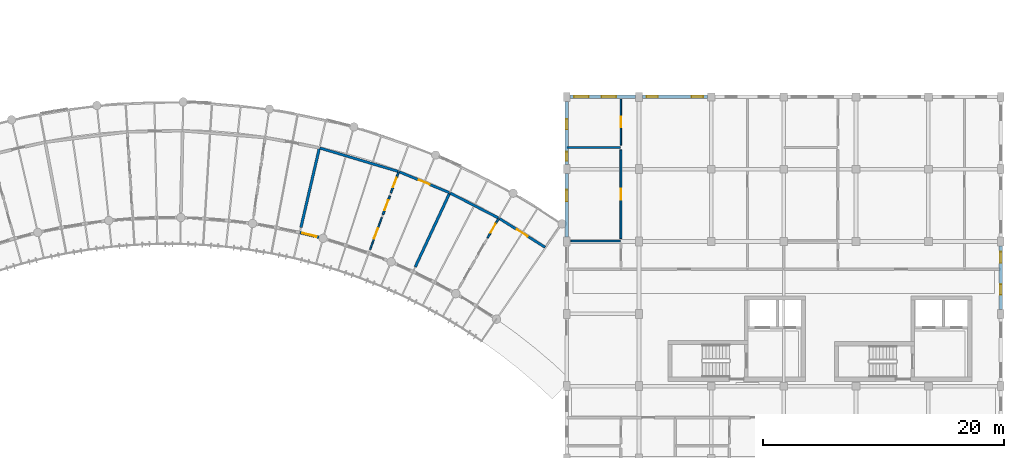
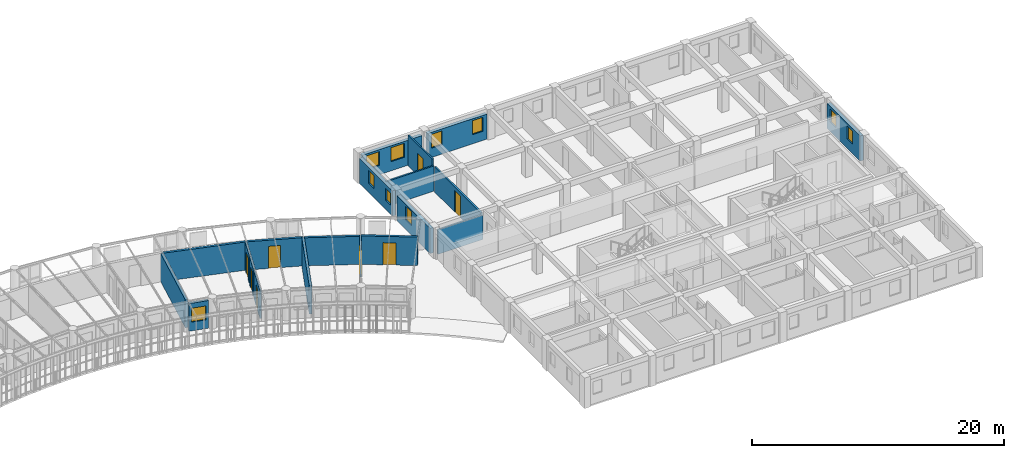
# One storey, part 100 of 123: 20 walls, 10 windows, 8 doors, 18 openings.
"""IFC4 building model written with IfcOpenShell, lengths in metres."""

from ifc_helpers import new_model, si_unit, direction, frame, frame_2d, origin, place, context, subcontext, project, spatial, rectangle, extrude, material, layer, layer_set, type_object, element, fill, save


model = new_model("IFC4")

# Units and contexts
model_context = context("Model", 3, precision=1e-05, world=origin(), true_north=direction((0.0, 1.0)))
body_context = subcontext(model_context, "Body", "Model", "MODEL_VIEW")
ifc_project = project(units=[si_unit("LENGTHUNIT", "METRE"), si_unit("AREAUNIT", "SQUARE_METRE"), si_unit("VOLUMEUNIT", "CUBIC_METRE"), si_unit("PLANEANGLEUNIT", "RADIAN"), si_unit("MASSUNIT", "GRAM", prefix="KILO"), si_unit("POWERUNIT", "WATT"), si_unit("THERMODYNAMICTEMPERATUREUNIT", "KELVIN")], contexts=[model_context])

# Site, building, storey
site_placement = place(None, origin())
site = spatial("IfcSite", under=ifc_project, at=site_placement, CompositionType="ELEMENT")
building_placement = place(site_placement, origin())
building = spatial("IfcBuilding", under=site, at=building_placement, Name="Ruvembo Vaulted Housing Court", CompositionType="ELEMENT")
storey_placement = place(building_placement, frame((0.0, 0.0, 7.699951171875)))
storey = spatial("IfcBuildingStorey", under=building, at=storey_placement, Name="L02", CompositionType="ELEMENT", Elevation=7.699951171875)

# Wall
ifc_material_1 = material(Name="Concrete Blockwork 210", Category="masonry")
ifc_layer_1 = layer(ifc_material_1, 0.2099609375, Name="Concrete Blockwork 210")
ifc_layer_set_1 = layer_set([ifc_layer_1], Name="Concrete Blockwork 210")
wall_type_1 = type_object("IfcWallType", Name="WL-CORR-210", PredefinedType="SOLIDWALL", material=ifc_layer_set_1)
wall_1_placement = place(storey_placement, frame((129.53173828125, 103.756103515625, 0.0), z_axis=(0.0, 0.0, 1.0), x_axis=(0.958078275652, -0.286506575357, 0.0)))
element("IfcWall", 1, at=wall_1_placement, inside=storey, type_object=wall_type_1, Name="L02 Suite SC3-L02-U5 Gallery Wall WL-INT-L02-00764", PredefinedType="SOLIDWALL", context=body_context, shape_type="SweptSolid", body=[
    extrude(rectangle(XDim=6.789794921875, YDim=0.2099609375, at=frame_2d((3.39501953125, 0.0))), origin(), (0.0, 0.0, 1.0), 2.741943359375),
])

# Wall, opening, door
wall_2_placement = place(storey_placement, frame((136.112060546875, 101.783935546875, 0.0), z_axis=(0.0, 0.0, 1.0), x_axis=(0.923267760269, -0.384157054925, 0.0)))
wall_2 = element("IfcWall", 2, at=wall_2_placement, inside=storey, type_object=wall_type_1, Name="L02 Suite SC3-L02-U5 Entrance WL-INT-L02-00765", PredefinedType="SOLIDWALL", context=body_context, shape_type="SweptSolid", body=[
    extrude(rectangle(XDim=4.50146484375, YDim=0.2099609375, at=frame_2d((2.250732421875, 0.0))), origin(), (0.0, 0.0, 1.0), 2.741943359375),
])
opening_1_placement = place(wall_2_placement, frame((1.7607421875, 0.0, 0.0)))
opening_1 = element("IfcOpeningElement", 3, at=opening_1_placement, cuts=wall_2, Name="Opening FD2", PredefinedType="OPENING", context=body_context, shape_type="SweptSolid", body=[
    extrude(rectangle(XDim=0.97998046875, YDim=2.14990234375, at=frame_2d((0.489990234375, 1.074951171875))), frame((0.0, 0.114990234375, 0.0), z_axis=(0.0, -1.0, 0.0), x_axis=(1.0, 0.0, 0.0)), (0.0, 0.0, 1.0), 0.22998046875),
])
ifc_material_2 = material(Name="FSC Hardwood and Engineered Timber", Category="wood")
door_type_1 = type_object("IfcDoorType", Name="DR-FLAT-0980x2150", OperationType="NOTDEFINED", PredefinedType="DOOR", material=ifc_material_2)
door_1_placement = place(opening_1_placement, origin())
door_1 = element("IfcDoor", 4, at=door_1_placement, inside=storey, type_object=door_type_1, Name="L02 Suite SC3-L02-U5 Entrance Door DR-INT-L02-00424", OperationType="SINGLE_SWING_RIGHT", OverallHeight=2.14990234375, OverallWidth=0.97998046875, PredefinedType="DOOR", context=body_context, shape_type="SweptSolid", body=[
    extrude(rectangle(XDim=0.97998046875, YDim=2.14990234375, at=frame_2d((0.489990234375, 1.074951171875))), frame((0.0, 0.02490234375, 0.0), z_axis=(0.0, -1.0, 0.0), x_axis=(1.0, 0.0, 0.0)), (0.0, 0.0, 1.0), 0.050048828125),
])
fill(opening_1, door_1)

# Wall
wall_3_placement = place(storey_placement, frame((140.34033203125, 100.020751953125, 0.0), z_axis=(0.0, 0.0, 1.0), x_axis=(0.888214590482, -0.459428820662, 0.0)))
element("IfcWall", 5, at=wall_3_placement, inside=storey, type_object=wall_type_1, Name="L02 Suite SC3-L02-U6 Gallery Wall WL-INT-L02-00770", PredefinedType="SOLIDWALL", context=body_context, shape_type="SweptSolid", body=[
    extrude(rectangle(XDim=4.50146484375, YDim=0.2099609375, at=frame_2d((2.250732421875, 0.0))), origin(), (0.0, 0.0, 1.0), 2.72216796875),
])

# Wall, opening, door
wall_4_placement = place(storey_placement, frame((144.408203125, 97.9130859375, 0.0), z_axis=(0.0, 0.0, 1.0), x_axis=(0.847037081085, -0.531533802563, 0.0)))
wall_4 = element("IfcWall", 6, at=wall_4_placement, inside=storey, type_object=wall_type_1, Name="L02 Suite SC3-L02-U6 Entrance WL-INT-L02-00771", PredefinedType="SOLIDWALL", context=body_context, shape_type="SweptSolid", body=[
    extrude(rectangle(XDim=4.501220703125, YDim=0.2099609375, at=frame_2d((2.25048828125, 0.0))), origin(), (0.0, 0.0, 1.0), 2.761962890625),
])
opening_2_placement = place(wall_4_placement, frame((1.7255859375, 0.0, 0.0)))
opening_2 = element("IfcOpeningElement", 7, at=opening_2_placement, cuts=wall_4, Name="Opening FD3", PredefinedType="OPENING", context=body_context, shape_type="SweptSolid", body=[
    extrude(rectangle(XDim=1.050048828125, YDim=2.14990234375, at=frame_2d((0.52490234375, 1.074951171875))), frame((0.0, 0.114990234375, 0.0), z_axis=(0.0, -1.0, 0.0), x_axis=(1.0, 0.0, 0.0)), (0.0, 0.0, 1.0), 0.22998046875),
])
door_type_2 = type_object("IfcDoorType", Name="DR-FLAT-1050x2150", OperationType="NOTDEFINED", PredefinedType="DOOR", material=ifc_material_2)
door_2_placement = place(opening_2_placement, origin())
door_2 = element("IfcDoor", 8, at=door_2_placement, inside=storey, type_object=door_type_2, Name="L02 Suite SC3-L02-U6 Entrance Door DR-INT-L02-00428", OperationType="SINGLE_SWING_RIGHT", OverallHeight=2.14990234375, OverallWidth=1.050048828125, PredefinedType="DOOR", context=body_context, shape_type="SweptSolid", body=[
    extrude(rectangle(XDim=1.050048828125, YDim=2.14990234375, at=frame_2d((0.52490234375, 1.074951171875))), frame((0.0, 0.02490234375, 0.0), z_axis=(0.0, -1.0, 0.0), x_axis=(1.0, 0.0, 0.0)), (0.0, 0.0, 1.0), 0.050048828125),
])
fill(opening_2, door_2)

# Walls
ifc_material_3 = material(Name="Acoustic Masonry Demising 220", Category="masonry")
ifc_layer_2 = layer(ifc_material_3, 0.219970703125, Name="Acoustic Masonry Demising 220")
ifc_layer_set_2 = layer_set([ifc_layer_2], Name="Acoustic Masonry Demising 220")
wall_type_2 = type_object("IfcWallType", Name="WL-DEM-200", PredefinedType="SOLIDWALL", material=ifc_layer_set_2)
wall_5_placement = place(storey_placement, frame((127.959716796875, 97.16748046875, 0.0), z_axis=(0.0, 0.0, 1.0), x_axis=(0.226349561734, 0.974046136434, 0.0)))
element("IfcWall", 9, at=wall_5_placement, inside=storey, type_object=wall_type_2, Name="L02 Suite SC3-L02-U4 Demising WL-INT-L02-00763", PredefinedType="SOLIDWALL", context=body_context, shape_type="SweptSolid", body=[
    extrude(rectangle(XDim=6.73583984375, YDim=0.219970703125, at=frame_2d((3.367919921875, 0.0))), origin(), (0.0, 0.0, 1.0), 2.72216796875),
])
wall_6_placement = place(storey_placement, frame((137.444091796875, 93.896728515625, 0.0), z_axis=(0.0, 0.0, 1.0), x_axis=(0.422206763189, 0.906499558256, 0.0)))
element("IfcWall", 10, at=wall_6_placement, inside=storey, type_object=wall_type_2, Name="L02 Suite SC3-L02-U5 Demising WL-INT-L02-00769", PredefinedType="SOLIDWALL", context=body_context, shape_type="SweptSolid", body=[
    extrude(rectangle(XDim=6.736083984375, YDim=0.219970703125, at=frame_2d((3.3681640625, 0.0))), origin(), (0.0, 0.0, 1.0), 2.761962890625),
])

# Wall, opening, window
ifc_material_4 = material(Name="Rendered Masonry 235", Category="masonry")
ifc_layer_3 = layer(ifc_material_4, 0.235107421875, Name="Rendered Masonry 235")
ifc_layer_set_3 = layer_set([ifc_layer_3], Name="Rendered Masonry 235")
wall_type_3 = type_object("IfcWallType", Name="WL-EXT-235", PredefinedType="STANDARD", material=ifc_layer_set_3)
wall_7_placement = place(storey_placement, frame((127.88330078125, 96.74951171875, 0.0), z_axis=(0.0, 0.0, 1.0), x_axis=(0.969142943716, -0.246499400902, 0.0)))
wall_7 = element("IfcWall", 11, at=wall_7_placement, inside=storey, type_object=wall_type_3, Name="Scoop SC3 L02 Concave Balcony Wall 20", PredefinedType="STANDARD", context=body_context, shape_type="SweptSolid", body=[
    extrude(rectangle(XDim=1.622314453125, YDim=0.235107421875, at=frame_2d((0.81103515625, 0.0))), origin(), (0.0, 0.0, 1.0), 2.68408203125),
])
opening_3_placement = place(wall_7_placement, frame((0.211181640625, 0.0, 0.85009765625)))
opening_3 = element("IfcOpeningElement", 12, at=opening_3_placement, cuts=wall_7, Name="Opening W12", PredefinedType="OPENING", context=body_context, shape_type="SweptSolid", body=[
    extrude(rectangle(XDim=1.199951171875, YDim=1.35009765625, at=frame_2d((0.60009765625, 0.675048828125))), frame((0.0, 0.12744140625, 0.0), z_axis=(0.0, -1.0, 0.0), x_axis=(1.0, 0.0, 0.0)), (0.0, 0.0, 1.0), 0.255126953125),
])
ifc_material_5 = material(Name="Double Solar-Control Glazing in Aluminium Frame", Category="aluminium")
window_type_1 = type_object("IfcWindowType", Name="WIN-1200x1350", PartitioningType="SINGLE_PANEL", PredefinedType="WINDOW", material=ifc_material_5)
window_1_placement = place(opening_3_placement, origin())
window_1 = element("IfcWindow", 13, at=window_1_placement, inside=storey, type_object=window_type_1, Name="Scoop SC3 L02 Concave Window 20", OverallHeight=1.35009765625, OverallWidth=1.199951171875, PartitioningType="SINGLE_PANEL", PredefinedType="WINDOW", context=body_context, shape_type="SweptSolid", body=[
    extrude(rectangle(XDim=1.199951171875, YDim=1.35009765625, at=frame_2d((0.60009765625, 0.675048828125))), frame((0.0, 0.030029296875, 0.0), z_axis=(0.0, -1.0, 0.0), x_axis=(1.0, 0.0, 0.0)), (0.0, 0.0, 1.0), 0.06005859375),
])
fill(opening_3, window_1)

# Wall, openings, windows
ifc_material_6 = material(Name="Rendered Masonry 300", Category="masonry")
ifc_layer_4 = layer(ifc_material_6, 0.300048828125, Name="Rendered Masonry 300")
ifc_layer_set_4 = layer_set([ifc_layer_4], Name="Rendered Masonry 300")
wall_type_4 = type_object("IfcWallType", Name="WL-EXT-300", PredefinedType="STANDARD", material=ifc_layer_set_4)
wall_8_placement = place(storey_placement, frame((186.0, 90.375, 0.0), z_axis=(0.0, 0.0, 1.0), x_axis=(0.0, 1.0, 0.0)))
wall_8 = element("IfcWall", 14, at=wall_8_placement, inside=storey, type_object=wall_type_4, Name="Block D L02 Exterior Wall EAST #4", PredefinedType="STANDARD", context=body_context, shape_type="SweptSolid", body=[
    extrude(rectangle(XDim=5.25, YDim=0.300048828125, at=frame_2d((2.625, 0.0))), origin(), (0.0, 0.0, 1.0), 2.43701171875),
])
opening_4_placement = place(wall_8_placement, frame((1.217529296875, 0.0, 0.89990234375)))
opening_4 = element("IfcOpeningElement", 15, at=opening_4_placement, cuts=wall_8, Name="Opening W03", PredefinedType="OPENING", context=body_context, shape_type="SweptSolid", body=[
    extrude(rectangle(XDim=0.85009765625, YDim=1.25, at=frame_2d((0.425048828125, 0.625))), frame((0.0, 0.159912109375, 0.0), z_axis=(0.0, -1.0, 0.0), x_axis=(1.0, 0.0, 0.0)), (0.0, 0.0, 1.0), 0.320068359375),
])
opening_5_placement = place(wall_8_placement, frame((3.857421875, 0.0, 0.89990234375)))
opening_5 = element("IfcOpeningElement", 16, at=opening_5_placement, cuts=wall_8, Name="Opening W04", PredefinedType="OPENING", context=body_context, shape_type="SweptSolid", body=[
    extrude(rectangle(XDim=0.89990234375, YDim=1.300048828125, at=frame_2d((0.449951171875, 0.64990234375))), frame((0.0, 0.159912109375, 0.0), z_axis=(0.0, -1.0, 0.0), x_axis=(1.0, 0.0, 0.0)), (0.0, 0.0, 1.0), 0.320068359375),
])
window_type_2 = type_object("IfcWindowType", Name="WIN-0850x1250", PartitioningType="SINGLE_PANEL", PredefinedType="WINDOW", material=ifc_material_5)
window_2_placement = place(opening_4_placement, origin())
window_2 = element("IfcWindow", 17, at=window_2_placement, inside=storey, type_object=window_type_2, Name="Block D L02 Window #1549", OverallHeight=1.25, OverallWidth=0.85009765625, PartitioningType="SINGLE_PANEL", PredefinedType="WINDOW", context=body_context, shape_type="SweptSolid", body=[
    extrude(rectangle(XDim=0.85009765625, YDim=1.25, at=frame_2d((0.425048828125, 0.625))), frame((0.0, 0.030029296875, 0.0), z_axis=(0.0, -1.0, 0.0), x_axis=(1.0, 0.0, 0.0)), (0.0, 0.0, 1.0), 0.06005859375),
])
fill(opening_4, window_2)
window_type_3 = type_object("IfcWindowType", Name="WIN-0900x1300", PartitioningType="SINGLE_PANEL", PredefinedType="WINDOW", material=ifc_material_5)
window_3_placement = place(opening_5_placement, origin())
window_3 = element("IfcWindow", 18, at=window_3_placement, inside=storey, type_object=window_type_3, Name="Block D L02 Window #1550", OverallHeight=1.300048828125, OverallWidth=0.89990234375, PartitioningType="SINGLE_PANEL", PredefinedType="WINDOW", context=body_context, shape_type="SweptSolid", body=[
    extrude(rectangle(XDim=0.89990234375, YDim=1.300048828125, at=frame_2d((0.449951171875, 0.64990234375))), frame((0.0, 0.030029296875, 0.0), z_axis=(0.0, -1.0, 0.0), x_axis=(1.0, 0.0, 0.0)), (0.0, 0.0, 1.0), 0.06005859375),
])
fill(opening_5, window_3)

wall_9_placement = place(storey_placement, frame((161.675048828125, 108.0, 0.0), z_axis=(0.0, 0.0, 1.0), x_axis=(-1.0, 0.0, 0.0)))
wall_9 = element("IfcWall", 19, at=wall_9_placement, inside=storey, type_object=wall_type_4, Name="Block D L02 Exterior Wall STREET #5", PredefinedType="STANDARD", context=body_context, shape_type="SweptSolid", body=[
    extrude(rectangle(XDim=5.400146484375, YDim=0.300048828125, at=frame_2d((2.7001953125, 0.0))), origin(), (0.0, 0.0, 1.0), 2.43701171875),
])
opening_6_placement = place(wall_9_placement, frame((0.35009765625, 0.0, 0.89990234375)))
opening_6 = element("IfcOpeningElement", 20, at=opening_6_placement, cuts=wall_9, Name="Opening W07", PredefinedType="OPENING", context=body_context, shape_type="SweptSolid", body=[
    extrude(rectangle(XDim=0.949951171875, YDim=1.35009765625, at=frame_2d((0.47509765625, 0.675048828125))), frame((0.0, 0.159912109375, 0.0), z_axis=(0.0, -1.0, 0.0), x_axis=(1.0, 0.0, 0.0)), (0.0, 0.0, 1.0), 0.320068359375),
])
opening_7_placement = place(wall_9_placement, frame((4.10009765625, 0.0, 0.89990234375)))
opening_7 = element("IfcOpeningElement", 21, at=opening_7_placement, cuts=wall_9, Name="Opening W07", PredefinedType="OPENING", context=body_context, shape_type="SweptSolid", body=[
    extrude(rectangle(XDim=0.949951171875, YDim=1.35009765625, at=frame_2d((0.47509765625, 0.675048828125))), frame((0.0, 0.159912109375, 0.0), z_axis=(0.0, -1.0, 0.0), x_axis=(1.0, 0.0, 0.0)), (0.0, 0.0, 1.0), 0.320068359375),
])
window_type_4 = type_object("IfcWindowType", Name="WIN-0950x1350", PartitioningType="SINGLE_PANEL", PredefinedType="WINDOW", material=ifc_material_5)
window_4_placement = place(opening_6_placement, origin())
window_4 = element("IfcWindow", 22, at=window_4_placement, inside=storey, type_object=window_type_4, Name="Block D L02 Window #1563", OverallHeight=1.35009765625, OverallWidth=0.949951171875, PartitioningType="SINGLE_PANEL", PredefinedType="WINDOW", context=body_context, shape_type="SweptSolid", body=[
    extrude(rectangle(XDim=0.949951171875, YDim=1.35009765625, at=frame_2d((0.47509765625, 0.675048828125))), frame((0.0, 0.030029296875, 0.0), z_axis=(0.0, -1.0, 0.0), x_axis=(1.0, 0.0, 0.0)), (0.0, 0.0, 1.0), 0.06005859375),
])
fill(opening_6, window_4)
window_5_placement = place(opening_7_placement, origin())
window_5 = element("IfcWindow", 23, at=window_5_placement, inside=storey, type_object=window_type_4, Name="Block D L02 Window #1564", OverallHeight=1.35009765625, OverallWidth=0.949951171875, PartitioningType="SINGLE_PANEL", PredefinedType="WINDOW", context=body_context, shape_type="SweptSolid", body=[
    extrude(rectangle(XDim=0.949951171875, YDim=1.35009765625, at=frame_2d((0.47509765625, 0.675048828125))), frame((0.0, 0.030029296875, 0.0), z_axis=(0.0, -1.0, 0.0), x_axis=(1.0, 0.0, 0.0)), (0.0, 0.0, 1.0), 0.06005859375),
])
fill(opening_7, window_5)

wall_10_placement = place(storey_placement, frame((155.72509765625, 108.0, 0.0), z_axis=(0.0, 0.0, 1.0), x_axis=(-1.0, 0.0, 0.0)))
wall_10 = element("IfcWall", 24, at=wall_10_placement, inside=storey, type_object=wall_type_4, Name="Block D L02 Exterior Wall STREET #6", PredefinedType="STANDARD", context=body_context, shape_type="SweptSolid", body=[
    extrude(rectangle(XDim=5.4501953125, YDim=0.300048828125, at=frame_2d((2.72509765625, 0.0))), origin(), (0.0, 0.0, 1.0), 2.43701171875),
])
opening_8_placement = place(wall_10_placement, frame((1.614990234375, 0.0, 0.89990234375)))
opening_8 = element("IfcOpeningElement", 25, at=opening_8_placement, cuts=wall_10, Name="Opening W12", PredefinedType="OPENING", context=body_context, shape_type="SweptSolid", body=[
    extrude(rectangle(XDim=1.199951171875, YDim=1.35009765625, at=frame_2d((0.60009765625, 0.675048828125))), frame((0.0, 0.159912109375, 0.0), z_axis=(0.0, -1.0, 0.0), x_axis=(1.0, 0.0, 0.0)), (0.0, 0.0, 1.0), 0.320068359375),
])
opening_9_placement = place(wall_10_placement, frame((3.89990234375, 0.0, 0.89990234375)))
opening_9 = element("IfcOpeningElement", 26, at=opening_9_placement, cuts=wall_10, Name="Opening W12", PredefinedType="OPENING", context=body_context, shape_type="SweptSolid", body=[
    extrude(rectangle(XDim=1.199951171875, YDim=1.35009765625, at=frame_2d((0.60009765625, 0.675048828125))), frame((0.0, 0.159912109375, 0.0), z_axis=(0.0, -1.0, 0.0), x_axis=(1.0, 0.0, 0.0)), (0.0, 0.0, 1.0), 0.320068359375),
])
window_6_placement = place(opening_8_placement, origin())
window_6 = element("IfcWindow", 27, at=window_6_placement, inside=storey, type_object=window_type_1, Name="Block D L02 Window #1565", OverallHeight=1.35009765625, OverallWidth=1.199951171875, PartitioningType="SINGLE_PANEL", PredefinedType="WINDOW", context=body_context, shape_type="SweptSolid", body=[
    extrude(rectangle(XDim=1.199951171875, YDim=1.35009765625, at=frame_2d((0.60009765625, 0.675048828125))), frame((0.0, 0.030029296875, 0.0), z_axis=(0.0, -1.0, 0.0), x_axis=(1.0, 0.0, 0.0)), (0.0, 0.0, 1.0), 0.06005859375),
])
fill(opening_8, window_6)
window_7_placement = place(opening_9_placement, origin())
window_7 = element("IfcWindow", 28, at=window_7_placement, inside=storey, type_object=window_type_1, Name="Block D L02 Window #1566", OverallHeight=1.35009765625, OverallWidth=1.199951171875, PartitioningType="SINGLE_PANEL", PredefinedType="WINDOW", context=body_context, shape_type="SweptSolid", body=[
    extrude(rectangle(XDim=1.199951171875, YDim=1.35009765625, at=frame_2d((0.60009765625, 0.675048828125))), frame((0.0, 0.030029296875, 0.0), z_axis=(0.0, -1.0, 0.0), x_axis=(1.0, 0.0, 0.0)), (0.0, 0.0, 1.0), 0.06005859375),
])
fill(opening_9, window_7)

wall_11_placement = place(storey_placement, frame((150.0, 107.625, 0.0), z_axis=(0.0, 0.0, 1.0), x_axis=(0.0, -1.0, 0.0)))
wall_11 = element("IfcWall", 29, at=wall_11_placement, inside=storey, type_object=wall_type_4, Name="Block D L02 Exterior Wall WEST #1", PredefinedType="STANDARD", context=body_context, shape_type="SweptSolid", body=[
    extrude(rectangle(XDim=5.25, YDim=0.300048828125, at=frame_2d((2.625, 0.0))), origin(), (0.0, 0.0, 1.0), 2.43701171875),
])
opening_10_placement = place(wall_11_placement, frame((1.467529296875, 0.0, 0.89990234375)))
opening_10 = element("IfcOpeningElement", 30, at=opening_10_placement, cuts=wall_11, Name="Opening W03", PredefinedType="OPENING", context=body_context, shape_type="SweptSolid", body=[
    extrude(rectangle(XDim=0.85009765625, YDim=1.25, at=frame_2d((0.425048828125, 0.625))), frame((0.0, 0.159912109375, 0.0), z_axis=(0.0, -1.0, 0.0), x_axis=(1.0, 0.0, 0.0)), (0.0, 0.0, 1.0), 0.320068359375),
])
opening_11_placement = place(wall_11_placement, frame((4.1826171875, 0.0, 0.89990234375)))
opening_11 = element("IfcOpeningElement", 31, at=opening_11_placement, cuts=wall_11, Name="Opening W01", PredefinedType="OPENING", context=body_context, shape_type="SweptSolid", body=[
    extrude(rectangle(XDim=0.75, YDim=1.14990234375, at=frame_2d((0.375, 0.574951171875))), frame((0.0, 0.159912109375, 0.0), z_axis=(0.0, -1.0, 0.0), x_axis=(1.0, 0.0, 0.0)), (0.0, 0.0, 1.0), 0.320068359375),
])
window_type_5 = type_object("IfcWindowType", Name="WIN-0750x1150", PartitioningType="SINGLE_PANEL", PredefinedType="WINDOW", material=ifc_material_5)
window_8_placement = place(opening_11_placement, origin())
window_8 = element("IfcWindow", 32, at=window_8_placement, inside=storey, type_object=window_type_5, Name="Block D L02 Window #1568", OverallHeight=1.14990234375, OverallWidth=0.75, PartitioningType="SINGLE_PANEL", PredefinedType="WINDOW", context=body_context, shape_type="SweptSolid", body=[
    extrude(rectangle(XDim=0.75, YDim=1.14990234375, at=frame_2d((0.375, 0.574951171875))), frame((0.0, 0.030029296875, 0.0), z_axis=(0.0, -1.0, 0.0), x_axis=(1.0, 0.0, 0.0)), (0.0, 0.0, 1.0), 0.06005859375),
])
fill(opening_11, window_8)
window_9_placement = place(opening_10_placement, origin())
window_9 = element("IfcWindow", 33, at=window_9_placement, inside=storey, type_object=window_type_2, Name="Block D L02 Window #1567", OverallHeight=1.25, OverallWidth=0.85009765625, PartitioningType="SINGLE_PANEL", PredefinedType="WINDOW", context=body_context, shape_type="SweptSolid", body=[
    extrude(rectangle(XDim=0.85009765625, YDim=1.25, at=frame_2d((0.425048828125, 0.625))), frame((0.0, 0.030029296875, 0.0), z_axis=(0.0, -1.0, 0.0), x_axis=(1.0, 0.0, 0.0)), (0.0, 0.0, 1.0), 0.06005859375),
])
fill(opening_10, window_9)

# Wall, opening, window
wall_12_placement = place(storey_placement, frame((150.0, 101.625, 0.0), z_axis=(0.0, 0.0, 1.0), x_axis=(0.0, -1.0, 0.0)))
wall_12 = element("IfcWall", 34, at=wall_12_placement, inside=storey, type_object=wall_type_4, Name="Block D L02 Exterior Wall WEST #2", PredefinedType="STANDARD", context=body_context, shape_type="SweptSolid", body=[
    extrude(rectangle(XDim=5.25, YDim=0.300048828125, at=frame_2d((2.625, 0.0))), origin(), (0.0, 0.0, 1.0), 2.43701171875),
])
opening_12_placement = place(wall_12_placement, frame((1.3388671875, 0.0, 0.89990234375)))
opening_12 = element("IfcOpeningElement", 35, at=opening_12_placement, cuts=wall_12, Name="Opening W07", PredefinedType="OPENING", context=body_context, shape_type="SweptSolid", body=[
    extrude(rectangle(XDim=0.949951171875, YDim=1.35009765625, at=frame_2d((0.47509765625, 0.675048828125))), frame((0.0, 0.159912109375, 0.0), z_axis=(0.0, -1.0, 0.0), x_axis=(1.0, 0.0, 0.0)), (0.0, 0.0, 1.0), 0.320068359375),
])
window_10_placement = place(opening_12_placement, origin())
window_10 = element("IfcWindow", 36, at=window_10_placement, inside=storey, type_object=window_type_4, Name="Block D L02 Window #1569", OverallHeight=1.35009765625, OverallWidth=0.949951171875, PartitioningType="SINGLE_PANEL", PredefinedType="WINDOW", context=body_context, shape_type="SweptSolid", body=[
    extrude(rectangle(XDim=0.949951171875, YDim=1.35009765625, at=frame_2d((0.47509765625, 0.675048828125))), frame((0.0, 0.030029296875, 0.0), z_axis=(0.0, -1.0, 0.0), x_axis=(1.0, 0.0, 0.0)), (0.0, 0.0, 1.0), 0.06005859375),
])
fill(opening_12, window_10)

# Wall, opening, door
ifc_material_7 = material(Name="Plasterboard Stud Partition 125", Category="gypsum")
ifc_layer_5 = layer(ifc_material_7, 0.125, Name="Plasterboard Stud Partition 125")
ifc_layer_set_5 = layer_set([ifc_layer_5], Name="Plasterboard Stud Partition 125")
wall_type_5 = type_object("IfcWallType", Name="WL-PART-125", PredefinedType="PARTITIONING", material=ifc_layer_set_5)
wall_13_placement = place(storey_placement, frame((133.700439453125, 95.350830078125, 0.0), z_axis=(0.0, 0.0, 1.0), x_axis=(0.345555846023, 0.938398186954, 0.0)))
wall_13 = element("IfcWall", 37, at=wall_13_placement, inside=storey, type_object=wall_type_5, Name="L02 Suite SC3-L02-U5 Bedroom WL-INT-L02-00766", PredefinedType="PARTITIONING", context=body_context, shape_type="SweptSolid", body=[
    extrude(rectangle(XDim=2.7998046875, YDim=0.125, at=frame_2d((1.39990234375, 0.0))), origin(), (0.0, 0.0, 1.0), 2.72216796875),
])
opening_13_placement = place(wall_13_placement, frame((0.9599609375, 0.0, 0.0)))
opening_13 = element("IfcOpeningElement", 38, at=opening_13_placement, cuts=wall_13, Name="Opening ID3", PredefinedType="OPENING", context=body_context, shape_type="SweptSolid", body=[
    extrude(rectangle(XDim=0.8798828125, YDim=2.10009765625, at=frame_2d((0.43994140625, 1.050048828125))), frame((0.0, 0.072509765625, 0.0), z_axis=(0.0, -1.0, 0.0), x_axis=(1.0, 0.0, 0.0)), (0.0, 0.0, 1.0), 0.14501953125),
])
door_type_3 = type_object("IfcDoorType", Name="DR-ROOM-0880x2100", OperationType="NOTDEFINED", PredefinedType="DOOR", material=ifc_material_2)
door_3_placement = place(opening_13_placement, origin())
door_3 = element("IfcDoor", 39, at=door_3_placement, inside=storey, type_object=door_type_3, Name="L02 Suite SC3-L02-U5 Bedroom Door DR-INT-L02-00425", OperationType="SINGLE_SWING_LEFT", OverallHeight=2.10009765625, OverallWidth=0.8798828125, PredefinedType="DOOR", context=body_context, shape_type="SweptSolid", body=[
    extrude(rectangle(XDim=0.8798828125, YDim=2.10009765625, at=frame_2d((0.43994140625, 1.050048828125))), frame((0.0, 0.02490234375, 0.0), z_axis=(0.0, -1.0, 0.0), x_axis=(1.0, 0.0, 0.0)), (0.0, 0.0, 1.0), 0.050048828125),
])
fill(opening_13, door_3)

ifc_material_8 = material(Name="Acoustic Stud Partition 135", Category="gypsum")
ifc_layer_6 = layer(ifc_material_8, 0.135009765625, Name="Acoustic Stud Partition 135")
ifc_layer_set_6 = layer_set([ifc_layer_6], Name="Acoustic Stud Partition 135")
wall_type_6 = type_object("IfcWallType", Name="WL-PART-135", PredefinedType="PARTITIONING", material=ifc_layer_set_6)
wall_14_placement = place(storey_placement, frame((154.5, 103.989990234375, 0.0), z_axis=(0.0, 0.0, 1.0), x_axis=(0.0, 1.0, 0.0)))
wall_14 = element("IfcWall", 40, at=wall_14_placement, inside=storey, type_object=wall_type_6, Name="L02 Flat D-L02-N1 Bedroom 1 WL-INT-L02-00666", PredefinedType="PARTITIONING", context=body_context, shape_type="SweptSolid", body=[
    extrude(rectangle(XDim=3.820068359375, YDim=0.135009765625, at=frame_2d((1.91015625, 0.0))), origin(), (0.0, 0.0, 1.0), 2.955078125),
])
opening_14_placement = place(wall_14_placement, frame((1.469970703125, 0.0, 0.0)))
opening_14 = element("IfcOpeningElement", 41, at=opening_14_placement, cuts=wall_14, Name="Opening ID3", PredefinedType="OPENING", context=body_context, shape_type="SweptSolid", body=[
    extrude(rectangle(XDim=0.8798828125, YDim=2.10009765625, at=frame_2d((0.43994140625, 1.050048828125))), frame((0.0, 0.077392578125, 0.0), z_axis=(0.0, -1.0, 0.0), x_axis=(1.0, 0.0, 0.0)), (0.0, 0.0, 1.0), 0.155029296875),
])
door_4_placement = place(opening_14_placement, origin())
door_4 = element("IfcDoor", 42, at=door_4_placement, inside=storey, type_object=door_type_3, Name="L02 Flat D-L02-N1 Bedroom 1 Door DR-INT-L02-00359", OperationType="SINGLE_SWING_LEFT", OverallHeight=2.10009765625, OverallWidth=0.8798828125, PredefinedType="DOOR", context=body_context, shape_type="SweptSolid", body=[
    extrude(rectangle(XDim=0.8798828125, YDim=2.10009765625, at=frame_2d((0.43994140625, 1.050048828125))), frame((0.0, 0.02490234375, 0.0), z_axis=(0.0, -1.0, 0.0), x_axis=(1.0, 0.0, 0.0)), (0.0, 0.0, 1.0), 0.050048828125),
])
fill(opening_14, door_4)

# Walls
ifc_material_9 = material(Name="Moisture-Resistant Wet Partition 150", Category="gypsum")
ifc_layer_7 = layer(ifc_material_9, 0.14990234375, Name="Moisture-Resistant Wet Partition 150")
ifc_layer_set_7 = layer_set([ifc_layer_7], Name="Moisture-Resistant Wet Partition 150")
wall_type_7 = type_object("IfcWallType", Name="WL-PART-150", PredefinedType="PARTITIONING", material=ifc_layer_set_7)
wall_15_placement = place(storey_placement, frame((150.0400390625, 103.800048828125, 0.0), z_axis=(0.0, 0.0, 1.0), x_axis=(1.0, 0.0, 0.0)))
element("IfcWall", 43, at=wall_15_placement, inside=storey, type_object=wall_type_7, Name="L02 Flat D-L02-N1 Wet Wall 1 WL-INT-L02-00669", PredefinedType="PARTITIONING", context=body_context, shape_type="SweptSolid", body=[
    extrude(rectangle(XDim=4.419921875, YDim=0.14990234375, at=frame_2d((2.2099609375, 0.0))), origin(), (0.0, 0.0, 1.0), 2.43701171875),
])
wall_16_placement = place(storey_placement, frame((150.360107421875, 96.050048828125, 0.0), z_axis=(0.0, 0.0, 1.0), x_axis=(1.0, 0.0, 0.0)))
element("IfcWall", 44, at=wall_16_placement, inside=storey, type_object=wall_type_7, Name="L02 Flat D-L02-N1 Wet Wall 2 WL-INT-L02-00670", PredefinedType="PARTITIONING", context=body_context, shape_type="SweptSolid", body=[
    extrude(rectangle(XDim=4.099853515625, YDim=0.14990234375, at=frame_2d((2.0498046875, 0.0))), origin(), (0.0, 0.0, 1.0), 2.386962890625),
])

# Wall, opening, door
wall_17_placement = place(storey_placement, frame((135.425537109375, 100.03515625, 0.0), z_axis=(0.0, 0.0, 1.0), x_axis=(0.345490154584, 0.938422374566, 0.0)))
wall_17 = element("IfcWall", 45, at=wall_17_placement, inside=storey, type_object=wall_type_7, Name="L02 Suite SC3-L02-U5 Bathroom WL-INT-L02-00768", PredefinedType="PARTITIONING", context=body_context, shape_type="SweptSolid", body=[
    extrude(rectangle(XDim=1.840087890625, YDim=0.14990234375, at=frame_2d((0.919921875, 0.0))), origin(), (0.0, 0.0, 1.0), 2.72216796875),
])
opening_15_placement = place(wall_17_placement, frame((0.4951171875, 0.0, 0.0)))
opening_15 = element("IfcOpeningElement", 46, at=opening_15_placement, cuts=wall_17, Name="Opening ID2", PredefinedType="OPENING", context=body_context, shape_type="SweptSolid", body=[
    extrude(rectangle(XDim=0.85009765625, YDim=2.10009765625, at=frame_2d((0.425048828125, 1.050048828125))), frame((0.0, 0.0849609375, 0.0), z_axis=(0.0, -1.0, 0.0), x_axis=(1.0, 0.0, 0.0)), (0.0, 0.0, 1.0), 0.169921875),
])
door_type_4 = type_object("IfcDoorType", Name="DR-WET-0850x2100", OperationType="NOTDEFINED", PredefinedType="DOOR", material=ifc_material_2)
door_5_placement = place(opening_15_placement, origin())
door_5 = element("IfcDoor", 47, at=door_5_placement, inside=storey, type_object=door_type_4, Name="L02 Suite SC3-L02-U5 Bathroom Door DR-INT-L02-00427", OperationType="SINGLE_SWING_LEFT", OverallHeight=2.10009765625, OverallWidth=0.85009765625, PredefinedType="DOOR", context=body_context, shape_type="SweptSolid", body=[
    extrude(rectangle(XDim=0.85009765625, YDim=2.10009765625, at=frame_2d((0.425048828125, 1.050048828125))), frame((0.0, 0.02490234375, 0.0), z_axis=(0.0, -1.0, 0.0), x_axis=(1.0, 0.0, 0.0)), (0.0, 0.0, 1.0), 0.050048828125),
])
fill(opening_15, door_5)

wall_18_placement = place(storey_placement, frame((143.44189453125, 96.3017578125, 0.0), z_axis=(0.0, 0.0, 1.0), x_axis=(0.495938892217, 0.868357423638, 0.0)))
wall_18 = element("IfcWall", 48, at=wall_18_placement, inside=storey, type_object=wall_type_7, Name="L02 Suite SC3-L02-U6 Bathroom WL-INT-L02-00774", PredefinedType="PARTITIONING", context=body_context, shape_type="SweptSolid", body=[
    extrude(rectangle(XDim=1.840087890625, YDim=0.14990234375, at=frame_2d((0.919921875, 0.0))), origin(), (0.0, 0.0, 1.0), 2.741943359375),
])
opening_16_placement = place(wall_18_placement, frame((0.4951171875, 0.0, 0.0)))
opening_16 = element("IfcOpeningElement", 49, at=opening_16_placement, cuts=wall_18, Name="Opening ID2", PredefinedType="OPENING", context=body_context, shape_type="SweptSolid", body=[
    extrude(rectangle(XDim=0.85009765625, YDim=2.10009765625, at=frame_2d((0.425048828125, 1.050048828125))), frame((0.0, 0.0849609375, 0.0), z_axis=(0.0, -1.0, 0.0), x_axis=(1.0, 0.0, 0.0)), (0.0, 0.0, 1.0), 0.169921875),
])
door_6_placement = place(opening_16_placement, origin())
door_6 = element("IfcDoor", 50, at=door_6_placement, inside=storey, type_object=door_type_4, Name="L02 Suite SC3-L02-U6 Bathroom Door DR-INT-L02-00431", OperationType="SINGLE_SWING_LEFT", OverallHeight=2.10009765625, OverallWidth=0.85009765625, PredefinedType="DOOR", context=body_context, shape_type="SweptSolid", body=[
    extrude(rectangle(XDim=0.85009765625, YDim=2.10009765625, at=frame_2d((0.425048828125, 1.050048828125))), frame((0.0, 0.02490234375, 0.0), z_axis=(0.0, -1.0, 0.0), x_axis=(1.0, 0.0, 0.0)), (0.0, 0.0, 1.0), 0.050048828125),
])
fill(opening_16, door_6)

ifc_material_10 = material(Name="Acoustic Service Chase Wall 160", Category="gypsum")
ifc_layer_8 = layer(ifc_material_10, 0.159912109375, Name="Acoustic Service Chase Wall 160")
ifc_layer_set_8 = layer_set([ifc_layer_8], Name="Acoustic Service Chase Wall 160")
wall_type_8 = type_object("IfcWallType", Name="WL-PLUMB-160", PredefinedType="PLUMBINGWALL", material=ifc_layer_set_8)
wall_19_placement = place(storey_placement, frame((154.5, 96.239990234375, 0.0), z_axis=(0.0, 0.0, 1.0), x_axis=(0.0, 1.0, 0.0)))
wall_19 = element("IfcWall", 51, at=wall_19_placement, inside=storey, type_object=wall_type_8, Name="L02 Flat D-L02-N1 Kitchen WL-INT-L02-00667", PredefinedType="PLUMBINGWALL", context=body_context, shape_type="SweptSolid", body=[
    extrude(rectangle(XDim=7.3701171875, YDim=0.159912109375, at=frame_2d((3.68505859375, 0.0))), origin(), (0.0, 0.0, 1.0), 2.43701171875),
])
opening_17_placement = place(wall_19_placement, frame((3.235107421875, 0.0, 0.0)))
opening_17 = element("IfcOpeningElement", 52, at=opening_17_placement, cuts=wall_19, Name="Opening ID1", PredefinedType="OPENING", context=body_context, shape_type="SweptSolid", body=[
    extrude(rectangle(XDim=0.89990234375, YDim=2.10009765625, at=frame_2d((0.449951171875, 1.050048828125))), frame((0.0, 0.08984375, 0.0), z_axis=(0.0, -1.0, 0.0), x_axis=(1.0, 0.0, 0.0)), (0.0, 0.0, 1.0), 0.179931640625),
])
door_type_5 = type_object("IfcDoorType", Name="DR-ROOM-0900x2100", OperationType="NOTDEFINED", PredefinedType="DOOR", material=ifc_material_2)
door_7_placement = place(opening_17_placement, origin())
door_7 = element("IfcDoor", 53, at=door_7_placement, inside=storey, type_object=door_type_5, Name="L02 Flat D-L02-N1 Kitchen Door DR-INT-L02-00360", OperationType="SINGLE_SWING_RIGHT", OverallHeight=2.10009765625, OverallWidth=0.89990234375, PredefinedType="DOOR", context=body_context, shape_type="SweptSolid", body=[
    extrude(rectangle(XDim=0.89990234375, YDim=2.10009765625, at=frame_2d((0.449951171875, 1.050048828125))), frame((0.0, 0.02490234375, 0.0), z_axis=(0.0, -1.0, 0.0), x_axis=(1.0, 0.0, 0.0)), (0.0, 0.0, 1.0), 0.050048828125),
])
fill(opening_17, door_7)

wall_20_placement = place(storey_placement, frame((134.761962890625, 98.2333984375, 0.0), z_axis=(0.0, 0.0, 1.0), x_axis=(0.345581795697, 0.938388630836, 0.0)))
wall_20 = element("IfcWall", 54, at=wall_20_placement, inside=storey, type_object=wall_type_8, Name="L02 Suite SC3-L02-U5 Kitchen WL-INT-L02-00767", PredefinedType="PLUMBINGWALL", context=body_context, shape_type="SweptSolid", body=[
    extrude(rectangle(XDim=1.648193359375, YDim=0.159912109375, at=frame_2d((0.82421875, 0.0))), origin(), (0.0, 0.0, 1.0), 2.72216796875),
])
opening_18_placement = place(wall_20_placement, frame((0.3740234375, 0.0, 0.0)))
opening_18 = element("IfcOpeningElement", 55, at=opening_18_placement, cuts=wall_20, Name="Opening ID1", PredefinedType="OPENING", context=body_context, shape_type="SweptSolid", body=[
    extrude(rectangle(XDim=0.89990234375, YDim=2.10009765625, at=frame_2d((0.449951171875, 1.050048828125))), frame((0.0, 0.08984375, 0.0), z_axis=(0.0, -1.0, 0.0), x_axis=(1.0, 0.0, 0.0)), (0.0, 0.0, 1.0), 0.179931640625),
])
door_8_placement = place(opening_18_placement, origin())
door_8 = element("IfcDoor", 56, at=door_8_placement, inside=storey, type_object=door_type_5, Name="L02 Suite SC3-L02-U5 Kitchen Door DR-INT-L02-00426", OperationType="SINGLE_SWING_RIGHT", OverallHeight=2.10009765625, OverallWidth=0.89990234375, PredefinedType="DOOR", context=body_context, shape_type="SweptSolid", body=[
    extrude(rectangle(XDim=0.89990234375, YDim=2.10009765625, at=frame_2d((0.449951171875, 1.050048828125))), frame((0.0, 0.02490234375, 0.0), z_axis=(0.0, -1.0, 0.0), x_axis=(1.0, 0.0, 0.0)), (0.0, 0.0, 1.0), 0.050048828125),
])
fill(opening_18, door_8)

save(model, "model.ifc")
